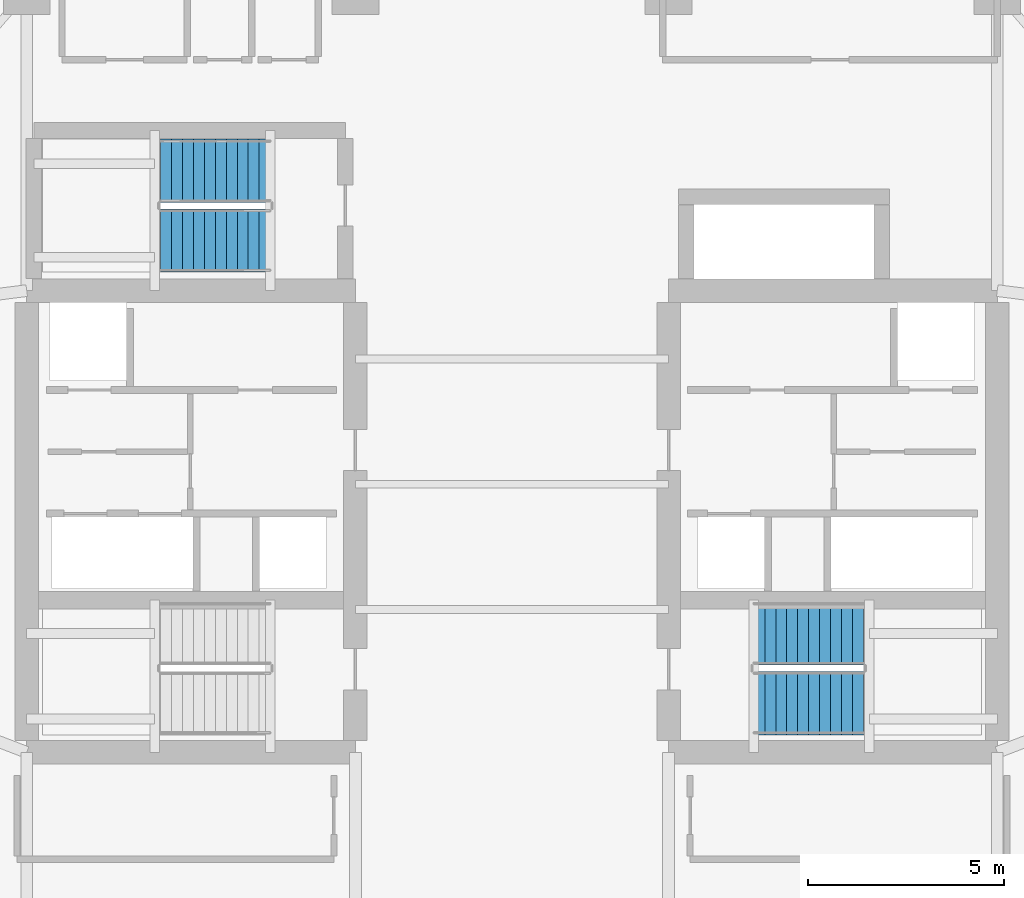
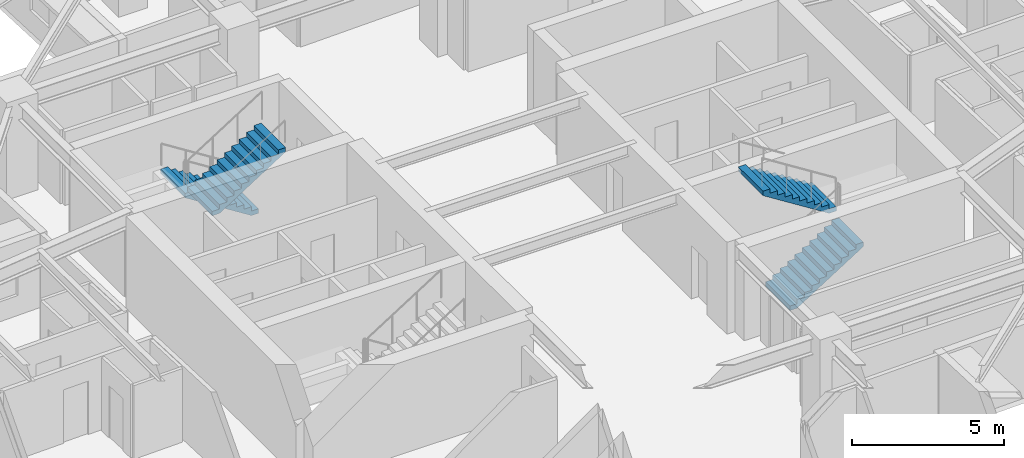
# One storey, part 9 of 14: 4 stair flights, 2 elements without a shape of their own.
"""IFC4 building model written with IfcOpenShell, lengths in metres."""

from ifc_helpers import new_model, si_unit, direction, frame, origin, place, context, subcontext, project, spatial, polyline, outline, extrude, material, layer, layer_set, type_object, element, aggregate, save


model = new_model("IFC4")

# Units and contexts
model_context = context("Model", 3, precision=1e-05, world=origin(), true_north=direction((0.0, 1.0)))
body_context = subcontext(model_context, "Body", "Model", "MODEL_VIEW")
ifc_project = project(units=[si_unit("LENGTHUNIT", "METRE"), si_unit("AREAUNIT", "SQUARE_METRE"), si_unit("VOLUMEUNIT", "CUBIC_METRE"), si_unit("PLANEANGLEUNIT", "RADIAN"), si_unit("MASSUNIT", "GRAM", prefix="KILO")], contexts=[model_context])

# Site, building, storey
site_placement = place(None, origin())
site = spatial("IfcSite", under=ifc_project, at=site_placement, CompositionType="ELEMENT")
building_placement = place(site_placement, origin())
building = spatial("IfcBuilding", under=site, at=building_placement, Name="Qingluan Cross Belvedere", CompositionType="ELEMENT")
storey_placement = place(building_placement, frame((0.0, 0.0, 112.5)))
storey = spatial("IfcBuildingStorey", under=building, at=storey_placement, Name="L28", CompositionType="ELEMENT", Elevation=112.5)

# Stair, stair flights
ifc_material_1 = material(Name="Concrete C40", Category="concrete")
stair_type = type_object("IfcStairType", Name="CoreDoglegStair_1620", PredefinedType="HALF_TURN_STAIR", material=ifc_material_1)
stair_1_placement = place(storey_placement, origin())
stair_1 = element("IfcStair", 1, at=stair_1_placement, inside=storey, type_object=stair_type, Name="L28 ST2", PredefinedType="HALF_TURN_STAIR")
ifc_material_2 = material(Name="Concrete C40", Category="concrete")
ifc_layer = layer(ifc_material_2, 0.179931640625, Name="StairFlight_RC180")
ifc_layer_set = layer_set([ifc_layer], Name="Concrete C40")
stair_flight_type = type_object("IfcStairFlightType", Name="StairFlight_RC180", PredefinedType="STRAIGHT", material=ifc_layer_set)
stair_flight_1_placement = place(storey_placement, frame((6.179931640625, -5.590087890625, 0.0), z_axis=(0.0, 0.0, 1.0), x_axis=(1.0, 0.0, 0.0)))
stair_flight_1 = element("IfcStairFlight", 2, at=stair_flight_1_placement, type_object=stair_flight_type, Name="ST2 flight 1", NumberOfRisers=11, NumberOfTreads=10, PredefinedType="STRAIGHT", RiserHeight=0.177272727, TreadLength=0.28, context=body_context, shape_type="SweptSolid", body=[
    extrude(outline(polyline([(0.0, 0.0), (0.0, 0.17724609375), (0.280029296875, 0.17724609375), (0.280029296875, 0.3544921875), (0.56005859375, 0.3544921875), (0.56005859375, 0.53173828125), (0.840087890625, 0.53173828125), (0.840087890625, 0.708984375), (1.1201171875, 0.708984375), (1.1201171875, 0.886474609375), (1.39990234375, 0.886474609375), (1.39990234375, 1.063720703125), (1.679931640625, 1.063720703125), (1.679931640625, 1.240966796875), (1.9599609375, 1.240966796875), (1.9599609375, 1.418212890625), (2.239990234375, 1.418212890625), (2.239990234375, 1.595458984375), (2.52001953125, 1.595458984375), (2.52001953125, 1.772705078125), (2.800048828125, 1.772705078125), (2.800048828125, 1.949951171875), (2.800048828125, 1.59521484375), (0.2802734375, 0.0), (0.0, 0.0)])), frame((0.0, 0.81005859375, 0.0), z_axis=(0.0, -1.0, 0.0), x_axis=(1.0, 0.0, 0.0)), (0.0, 0.0, 1.0), 1.6201171875),
])
stair_flight_2_placement = place(storey_placement, frame((8.97998046875, -3.81005859375, 1.949951171875), z_axis=(0.0, 0.0, 1.0), x_axis=(-1.0, 0.0, 0.0)))
stair_flight_2 = element("IfcStairFlight", 3, at=stair_flight_2_placement, type_object=stair_flight_type, Name="ST2 flight 2", NumberOfRisers=11, NumberOfTreads=10, PredefinedType="STRAIGHT", RiserHeight=0.177272727, TreadLength=0.28, context=body_context, shape_type="SweptSolid", body=[
    extrude(outline(polyline([(0.0, 0.0), (0.0, 0.17724609375), (0.280029296875, 0.17724609375), (0.280029296875, 0.3544921875), (0.56005859375, 0.3544921875), (0.56005859375, 0.53173828125), (0.840087890625, 0.53173828125), (0.840087890625, 0.708984375), (1.1201171875, 0.708984375), (1.1201171875, 0.886474609375), (1.39990234375, 0.886474609375), (1.39990234375, 1.063720703125), (1.679931640625, 1.063720703125), (1.679931640625, 1.240966796875), (1.9599609375, 1.240966796875), (1.9599609375, 1.418212890625), (2.239990234375, 1.418212890625), (2.239990234375, 1.595458984375), (2.52001953125, 1.595458984375), (2.52001953125, 1.772705078125), (2.800048828125, 1.772705078125), (2.800048828125, 1.949951171875), (2.800048828125, 1.59521484375), (0.2802734375, 0.0), (0.0, 0.0)])), frame((0.0, 0.81005859375, 0.0), z_axis=(0.0, -1.0, 0.0), x_axis=(1.0, 0.0, 0.0)), (0.0, 0.0, 1.0), 1.6201171875),
])
aggregate(stair_1, [stair_flight_1, stair_flight_2])

stair_2_placement = place(storey_placement, origin())
stair_2 = element("IfcStair", 4, at=stair_2_placement, inside=storey, type_object=stair_type, Name="L28 ST3", PredefinedType="HALF_TURN_STAIR")
stair_flight_3_placement = place(storey_placement, frame((-6.179931640625, 8.010009765625, 0.0), z_axis=(0.0, 0.0, 1.0), x_axis=(-1.0, 0.0, 0.0)))
stair_flight_3 = element("IfcStairFlight", 5, at=stair_flight_3_placement, type_object=stair_flight_type, Name="ST3 flight 1", NumberOfRisers=11, NumberOfTreads=10, PredefinedType="STRAIGHT", RiserHeight=0.177272727, TreadLength=0.28, context=body_context, shape_type="SweptSolid", body=[
    extrude(outline(polyline([(0.0, 0.0), (0.0, 0.17724609375), (0.280029296875, 0.17724609375), (0.280029296875, 0.3544921875), (0.56005859375, 0.3544921875), (0.56005859375, 0.53173828125), (0.840087890625, 0.53173828125), (0.840087890625, 0.708984375), (1.1201171875, 0.708984375), (1.1201171875, 0.886474609375), (1.39990234375, 0.886474609375), (1.39990234375, 1.063720703125), (1.679931640625, 1.063720703125), (1.679931640625, 1.240966796875), (1.9599609375, 1.240966796875), (1.9599609375, 1.418212890625), (2.239990234375, 1.418212890625), (2.239990234375, 1.595458984375), (2.52001953125, 1.595458984375), (2.52001953125, 1.772705078125), (2.800048828125, 1.772705078125), (2.800048828125, 1.949951171875), (2.800048828125, 1.59521484375), (0.2802734375, 0.0), (0.0, 0.0)])), frame((0.0, 0.81005859375, 0.0), z_axis=(0.0, -1.0, 0.0), x_axis=(1.0, 0.0, 0.0)), (0.0, 0.0, 1.0), 1.6201171875),
])
stair_flight_4_placement = place(storey_placement, frame((-8.97998046875, 6.22998046875, 1.949951171875), z_axis=(0.0, 0.0, 1.0), x_axis=(1.0, 0.0, 0.0)))
stair_flight_4 = element("IfcStairFlight", 6, at=stair_flight_4_placement, type_object=stair_flight_type, Name="ST3 flight 2", NumberOfRisers=11, NumberOfTreads=10, PredefinedType="STRAIGHT", RiserHeight=0.177272727, TreadLength=0.28, context=body_context, shape_type="SweptSolid", body=[
    extrude(outline(polyline([(0.0, 0.0), (0.0, 0.17724609375), (0.280029296875, 0.17724609375), (0.280029296875, 0.3544921875), (0.56005859375, 0.3544921875), (0.56005859375, 0.53173828125), (0.840087890625, 0.53173828125), (0.840087890625, 0.708984375), (1.1201171875, 0.708984375), (1.1201171875, 0.886474609375), (1.39990234375, 0.886474609375), (1.39990234375, 1.063720703125), (1.679931640625, 1.063720703125), (1.679931640625, 1.240966796875), (1.9599609375, 1.240966796875), (1.9599609375, 1.418212890625), (2.239990234375, 1.418212890625), (2.239990234375, 1.595458984375), (2.52001953125, 1.595458984375), (2.52001953125, 1.772705078125), (2.800048828125, 1.772705078125), (2.800048828125, 1.949951171875), (2.800048828125, 1.59521484375), (0.2802734375, 0.0), (0.0, 0.0)])), frame((0.0, 0.81005859375, 0.0), z_axis=(0.0, -1.0, 0.0), x_axis=(1.0, 0.0, 0.0)), (0.0, 0.0, 1.0), 1.6201171875),
])
aggregate(stair_2, [stair_flight_3, stair_flight_4])

save(model, "model.ifc")
